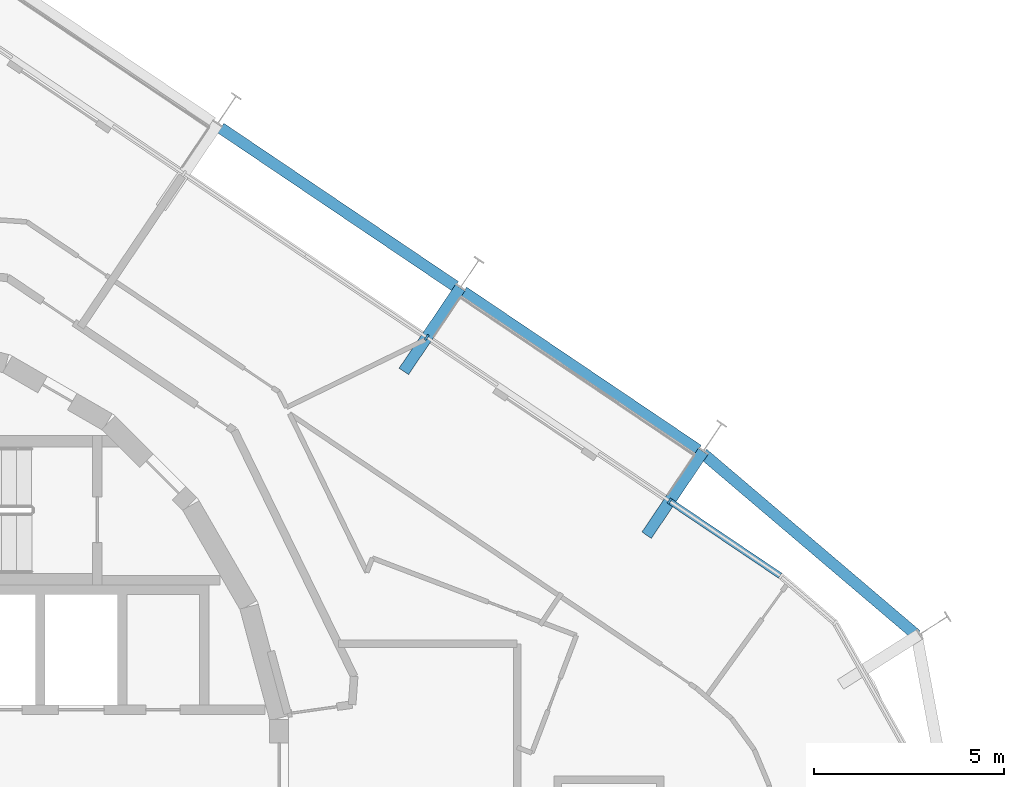
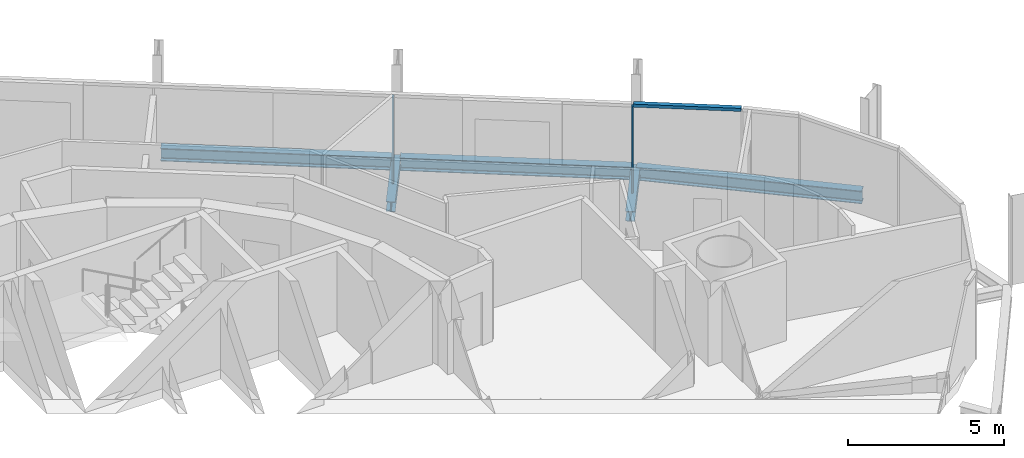
# One storey, part 9 of 17: 5 beams, 3 members, 2 elements without a shape of their own.
"""IFC4 building model written with IfcOpenShell, lengths in metres."""

from ifc_helpers import new_model, si_unit, direction, frame, origin, origin_2d, place, context, subcontext, project, spatial, rectangle, i_section, extrude, material, layer, layer_set, material_profile, profile_set, type_object, element, aggregate, save


model = new_model("IFC4")

# Units and contexts
model_context = context("Model", 3, precision=1e-05, world=origin(), true_north=direction((0.0, 1.0)))
body_context = subcontext(model_context, "Body", "Model", "MODEL_VIEW")
ifc_project = project(units=[si_unit("LENGTHUNIT", "METRE"), si_unit("AREAUNIT", "SQUARE_METRE"), si_unit("VOLUMEUNIT", "CUBIC_METRE"), si_unit("PLANEANGLEUNIT", "RADIAN"), si_unit("MASSUNIT", "GRAM", prefix="KILO")], contexts=[model_context])

# Site, building, storey
site_placement = place(None, origin())
site = spatial("IfcSite", under=ifc_project, at=site_placement, CompositionType="ELEMENT")
building_placement = place(site_placement, origin())
building = spatial("IfcBuilding", under=site, at=building_placement, Name="Spindle Arch Residences", CompositionType="ELEMENT")
storey_placement = place(building_placement, frame((0.0, 0.0, 191.89990234375)))
storey = spatial("IfcBuildingStorey", under=building, at=storey_placement, Name="L48", CompositionType="ELEMENT", Elevation=191.89990234375)

# Curtain wall, members
ifc_material_1 = material(Name="Aluminium bronze unitised frame with tinted glass", Category="aluminium")
ifc_layer_1 = layer(ifc_material_1, 0.159912109375)
ifc_layer_set_1 = layer_set([ifc_layer_1], Name="CW-C typical residential unitised wall")
curtain_wall_type_1 = type_object("IfcCurtainWallType", Name="CW-C typical residential unitised wall", PredefinedType="NOTDEFINED", material=ifc_layer_set_1)
curtain_wall_1_placement = place(storey_placement, origin())
curtain_wall_1 = element("IfcCurtainWall", 1, at=curtain_wall_1_placement, inside=storey, type_object=curtain_wall_type_1, Name="CW-C L48 run 2", PredefinedType="NOTDEFINED")
ifc_material_2 = material(Name="Aluminium bronze anodised mullion", Category="aluminium")
ifc_material_profile_1 = material_profile(ifc_material_2, rectangle(XDim=0.159912109375, YDim=0.06005859375, at=origin_2d()), Name="MU 60x160")
ifc_profile_set_1 = profile_set([ifc_material_profile_1], Name="Aluminium bronze anodised mullion")
member_type_1 = type_object("IfcMemberType", Name="Bronze mullion 60x160", PredefinedType="MULLION", material=ifc_profile_set_1)
member_1_placement = place(storey_placement, frame((21.905029296875, 7.25146484375, -0.3798828125), z_axis=(0.0, 0.0, 1.0), x_axis=(-0.559192903471, -0.829037572555, 0.0)))
member_1 = element("IfcMember", 2, at=member_1_placement, type_object=member_type_1, Name="CW-C mullion 05", PredefinedType="MULLION", context=body_context, shape_type="SweptSolid", body=[
    extrude(rectangle(XDim=0.159912109375, YDim=0.06005859375, at=origin_2d()), origin(), (0.0, 0.0, 1.0), 3.3798828125),
])
member_2_placement = place(storey_placement, frame((15.526611328125, 11.5537109375, -0.3798828125), z_axis=(0.0, 0.0, 1.0), x_axis=(-0.559192903471, -0.829037572555, 0.0)))
member_2 = element("IfcMember", 3, at=member_2_placement, type_object=member_type_1, Name="CW-C mullion 06", PredefinedType="MULLION", context=body_context, shape_type="SweptSolid", body=[
    extrude(rectangle(XDim=0.159912109375, YDim=0.06005859375, at=origin_2d()), origin(), (0.0, 0.0, 1.0), 3.3798828125),
])
aggregate(curtain_wall_1, [member_1, member_2])

# Curtain wall, member
ifc_material_3 = material(Name="Aluminium bronze unitised frame with tinted glass", Category="aluminium")
ifc_layer_2 = layer(ifc_material_3, 0.159912109375)
ifc_layer_set_2 = layer_set([ifc_layer_2], Name="CW-D corner wall on the fillet arcs")
curtain_wall_type_2 = type_object("IfcCurtainWallType", Name="CW-D corner wall on the fillet arcs", PredefinedType="NOTDEFINED", material=ifc_layer_set_2)
curtain_wall_2_placement = place(storey_placement, origin())
curtain_wall_2 = element("IfcCurtainWall", 4, at=curtain_wall_2_placement, inside=storey, type_object=curtain_wall_type_2, Name="CW-D L48 run 1", PredefinedType="NOTDEFINED")
ifc_material_4 = material(Name="Aluminium bronze anodised transom", Category="aluminium")
ifc_material_profile_2 = material_profile(ifc_material_4, rectangle(XDim=0.159912109375, YDim=0.1201171875, at=origin_2d()), Name="TR 120x160")
ifc_profile_set_2 = profile_set([ifc_material_profile_2], Name="Aluminium bronze anodised transom")
member_type_2 = type_object("IfcMemberType", Name="Bronze transom 120x160", PredefinedType="USERDEFINED", material=ifc_profile_set_2)
member_3_placement = place(storey_placement, frame((24.805419921875, 5.295166015625, 3.06005859375), z_axis=(-0.829049362711, 0.559175423448, 0.0), x_axis=(-0.559175423448, -0.829049362711, 0.0)))
member_3 = element("IfcMember", 5, at=member_3_placement, type_object=member_type_2, Name="CW-D transom 06", ObjectType="TRANSOM", PredefinedType="USERDEFINED", context=body_context, shape_type="SweptSolid", body=[
    extrude(rectangle(XDim=0.159912109375, YDim=0.1201171875, at=origin_2d()), origin(), (0.0, 0.0, 1.0), 3.468505859375),
])
aggregate(curtain_wall_2, [member_3])

# Beams
ifc_material_5 = material(Name="Steel S460ML, intumescent coating R 120", Category="steel")
ifc_material_profile_3 = material_profile(ifc_material_5, i_section(OverallWidth=0.300048828125, OverallDepth=0.5, WebThickness=0.014404296875, FlangeThickness=0.028076171875, FilletRadius=0.027099609375, at=origin_2d()), Name="HEB 500")
ifc_profile_set_3 = profile_set([ifc_material_profile_3], Name="Steel S460ML, intumescent coating R 120")
beam_type_1 = type_object("IfcBeamType", Name="Exoskeleton edge beam HEB 500", PredefinedType="BEAM", material=ifc_profile_set_3)
beam_placement = place(storey_placement, frame((28.39208984375, 3.72998046875, -0.6298828125), z_axis=(-0.761813327651, 0.647796614543, 0.0), x_axis=(-0.647796614543, -0.761813327651, 0.0)))
element("IfcBeam", 6, at=beam_placement, inside=storey, type_object=beam_type_1, Name="Exoskeleton edge beam 5", PredefinedType="BEAM", context=body_context, shape_type="SweptSolid", body=[
    extrude(i_section(OverallWidth=0.300048828125, OverallDepth=0.5, WebThickness=0.014404296875, FlangeThickness=0.028076171875, FilletRadius=0.027099609375, at=origin_2d()), origin(), (0.0, 0.0, 1.0), 7.36376953125),
])
for number, where, z_axis, x_axis, name in (
    (7, (22.65283203125, 8.592529296875, -0.6298828125), (-0.829031763913, 0.55920151504, 0.0), (-0.55920151504, -0.829031763913, 0.0), "Exoskeleton edge beam 6"),
    (8, (16.2744140625, 12.894775390625, -0.6298828125), (-0.829031763913, 0.55920151504, 0.0), (-0.55920151504, -0.829031763913, 0.0), "Exoskeleton edge beam 7"),
):
    element("IfcBeam", number, at=place(storey_placement, frame(where, z_axis=z_axis, x_axis=x_axis)), inside=storey, type_object=beam_type_1, Name=name, PredefinedType="BEAM", context=body_context, shape_type="SweptSolid", body=[
        extrude(i_section(OverallWidth=0.300048828125, OverallDepth=0.5, WebThickness=0.014404296875, FlangeThickness=0.028076171875, FilletRadius=0.027099609375, at=origin_2d()), origin(), (0.0, 0.0, 1.0), 7.433837890625),
    ])
ifc_material_6 = material(Name="Steel S460ML, intumescent coating R 120", Category="steel")
ifc_material_profile_4 = material_profile(ifc_material_6, i_section(OverallWidth=0.300048828125, OverallDepth=0.389892578125, WebThickness=0.010986328125, FlangeThickness=0.01904296875, FilletRadius=0.027099609375, at=origin_2d()), Name="HEA 400")
ifc_profile_set_4 = profile_set([ifc_material_profile_4], Name="Steel S460ML, intumescent coating R 120")
beam_type_2 = type_object("IfcBeamType", Name="Floor outrigger HEA 400", PredefinedType="BEAM", material=ifc_profile_set_4)
for number, where, z_axis, x_axis, name in (
    (9, (22.782958984375, 8.552978515625, -0.574951171875), (-0.559199099546, -0.829033393216, 0.0), (0.829033393216, -0.559199099546, 0.0), "Floor outrigger 6"),
    (10, (16.404541015625, 12.855224609375, -0.574951171875), (-0.559199099546, -0.829033393216, 0.0), (0.829033393216, -0.559199099546, 0.0), "Floor outrigger 7"),
):
    element("IfcBeam", number, at=place(storey_placement, frame(where, z_axis=z_axis, x_axis=x_axis)), inside=storey, type_object=beam_type_2, Name=name, PredefinedType="BEAM", context=body_context, shape_type="SweptSolid", body=[
        extrude(i_section(OverallWidth=0.300048828125, OverallDepth=0.389892578125, WebThickness=0.010986328125, FlangeThickness=0.01904296875, FilletRadius=0.027099609375, at=origin_2d()), origin(), (0.0, 0.0, 1.0), 2.650146484375),
    ])

save(model, "model.ifc")
